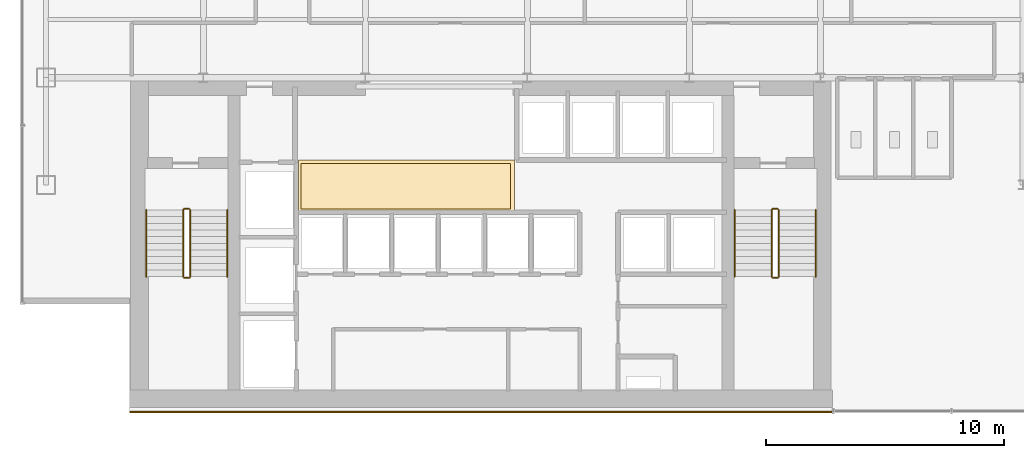
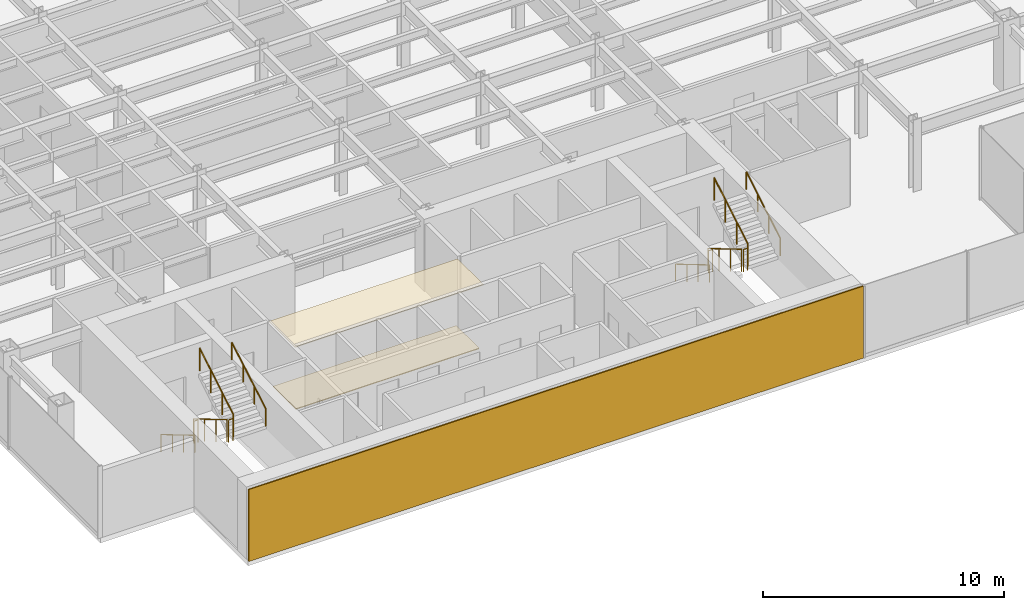
# One storey, part 24 of 26: 12 railings, 3 coverings.
"""IFC4 building model written with IfcOpenShell, lengths in metres."""

from ifc_helpers import new_model, si_unit, derived_unit, direction, frame, origin, origin_2d, place, context, subcontext, project, spatial, polyline, rectangle, circle, outline, extrude, source, transform, mapped, material, layer, layer_set, type_object, element, save


model = new_model("IFC4")

# Units and contexts
model_context = context("Model", 3, precision=1e-05, world=origin(), true_north=direction((0.0, 1.0)))
body_context = subcontext(model_context, "Body", "Model", "MODEL_VIEW")
ifc_project = project(units=[si_unit("LENGTHUNIT", "METRE"), si_unit("AREAUNIT", "SQUARE_METRE"), si_unit("VOLUMEUNIT", "CUBIC_METRE"), si_unit("PLANEANGLEUNIT", "RADIAN"), si_unit("MASSUNIT", "GRAM", prefix="KILO"), derived_unit("THERMALTRANSMITTANCEUNIT", [(si_unit("POWERUNIT", "WATT"), 1), (si_unit("LENGTHUNIT", "METRE"), -2), (si_unit("THERMODYNAMICTEMPERATUREUNIT", "KELVIN"), -1)])], contexts=[model_context])

# Site, building, storey
site_placement = place(None, origin())
site = spatial("IfcSite", under=ifc_project, at=site_placement, CompositionType="ELEMENT")
building_placement = place(site_placement, origin())
building = spatial("IfcBuilding", under=site, at=building_placement, Name="Skarnbrae Concourse Arena and Tower", CompositionType="ELEMENT")
storey_placement = place(building_placement, frame((0.0, 0.0, 106.89990234375)))
storey = spatial("IfcBuildingStorey", under=building, at=storey_placement, Name="L26", CompositionType="ELEMENT", Elevation=106.89990234375)

# Coverings
ifc_material_1 = material(Name="Mineral fibre acoustic ceiling tile", Category="other")
ifc_layer_1 = layer(ifc_material_1, 0.0400390625)
ifc_layer_set_1 = layer_set([ifc_layer_1], Name="Mineral fibre acoustic ceiling tile")
covering_type_1 = type_object("IfcCoveringType", Name="COV-CEIL-ACOUSTIC", PredefinedType="CEILING", material=ifc_layer_set_1)
covering_1_placement = place(storey_placement, frame((0.0, 0.0, 3.239990234375)))
element("IfcCovering", 1, at=covering_1_placement, inside=storey, type_object=covering_type_1, Name="L26 Lift lobby acoustic ceiling", PredefinedType="CEILING", context=body_context, shape_type="SweptSolid", body=[
    extrude(outline(polyline([(11.60009765625, 8.39990234375), (20.64990234375, 8.39990234375), (20.64990234375, 10.550048828125), (11.60009765625, 10.550048828125), (11.60009765625, 8.39990234375)])), origin(), (0.0, 0.0, 1.0), 0.0400390625),
])
ifc_material_2 = material(Name="Polished granite terrazzo flooring", Category="masonry")
ifc_layer_2 = layer(ifc_material_2, 0.0400390625)
ifc_layer_set_2 = layer_set([ifc_layer_2], Name="Polished granite terrazzo flooring")
covering_type_2 = type_object("IfcCoveringType", Name="COV-FLOOR-TERRAZZO", PredefinedType="FLOORING", material=ifc_layer_set_2)
covering_2_placement = place(storey_placement, origin())
element("IfcCovering", 2, at=covering_2_placement, inside=storey, type_object=covering_type_2, Name="L26 Lift lobby terrazzo flooring", PredefinedType="FLOORING", context=body_context, shape_type="SweptSolid", body=[
    extrude(outline(polyline([(11.699951171875, 8.5), (20.5, 8.5), (20.5, 10.39990234375), (11.699951171875, 10.39990234375), (11.699951171875, 8.5)])), origin(), (0.0, 0.0, 1.0), 0.0400390625),
])

# Railings
ifc_material_3 = material(Name="Steel CSA G40.21 350W", Category="steel")
railing_type_1 = type_object("IfcRailingType", Name="RAIL-HANDRAIL-900", PredefinedType="HANDRAIL", material=ifc_material_3)
railing_1_placement = place(storey_placement, frame((5.199951171875, 8.449951171875, 0.166015625)))
element("IfcRailing", 3, at=railing_1_placement, inside=storey, type_object=railing_type_1, Name="L26 ST-1 stair handrail 1", PredefinedType="HANDRAIL", context=body_context, shape_type="SweptSolid", body=[
    extrude(circle(Radius=0.02392578125, at=origin_2d()), frame((0.0, 0.0, 0.8759765625), z_axis=(0.0, -0.860306154799, 0.50977771628), x_axis=(1.0, 0.0, 0.0)), (0.0, 0.0, 1.0), 3.254638671875),
    extrude(circle(Radius=0.02099609375, at=origin_2d()), origin(), (0.0, 0.0, 1.0), 0.851806640625),
    extrude(circle(Radius=0.02099609375, at=origin_2d()), frame((0.0, -0.933349609375, 0.552978515625)), (0.0, 0.0, 1.0), 0.851806640625),
    extrude(circle(Radius=0.02099609375, at=origin_2d()), frame((0.0, -1.86669921875, 1.106201171875)), (0.0, 0.0, 1.0), 0.851806640625),
    extrude(circle(Radius=0.02099609375, at=origin_2d()), frame((0.0, -2.800048828125, 1.6591796875)), (0.0, 0.0, 1.0), 0.851806640625),
])
railing_2_placement = place(storey_placement, frame((8.60009765625, 5.64990234375, 1.990966796875)))
element("IfcRailing", 4, at=railing_2_placement, inside=storey, type_object=railing_type_1, Name="L26 ST-1 stair handrail 2", PredefinedType="HANDRAIL", context=body_context, shape_type="SweptSolid", body=[
    extrude(circle(Radius=0.02392578125, at=origin_2d()), frame((0.0, 0.0, 0.8759765625), z_axis=(0.0, 0.860306154799, 0.50977771628), x_axis=(-1.0, 0.0, 0.0)), (0.0, 0.0, 1.0), 3.254638671875),
    extrude(circle(Radius=0.02099609375, at=origin_2d()), origin(), (0.0, 0.0, 1.0), 0.851806640625),
    extrude(circle(Radius=0.02099609375, at=origin_2d()), frame((0.0, 0.933349609375, 0.552978515625)), (0.0, 0.0, 1.0), 0.851806640625),
    extrude(circle(Radius=0.02099609375, at=origin_2d()), frame((0.0, 1.86669921875, 1.106201171875)), (0.0, 0.0, 1.0), 0.851806640625),
    extrude(circle(Radius=0.02099609375, at=origin_2d()), frame((0.0, 2.800048828125, 1.6591796875)), (0.0, 0.0, 1.0), 0.851806640625),
])
railing_3_placement = place(storey_placement, frame((29.89990234375, 8.449951171875, 0.166015625)))
element("IfcRailing", 5, at=railing_3_placement, inside=storey, type_object=railing_type_1, Name="L26 ST-2 stair handrail 1", PredefinedType="HANDRAIL", context=body_context, shape_type="SweptSolid", body=[
    extrude(circle(Radius=0.02392578125, at=origin_2d()), frame((0.0, 0.0, 0.8759765625), z_axis=(0.0, -0.860306154799, 0.50977771628), x_axis=(1.0, 0.0, 0.0)), (0.0, 0.0, 1.0), 3.254638671875),
    extrude(circle(Radius=0.02099609375, at=origin_2d()), origin(), (0.0, 0.0, 1.0), 0.851806640625),
    extrude(circle(Radius=0.02099609375, at=origin_2d()), frame((0.0, -0.933349609375, 0.552978515625)), (0.0, 0.0, 1.0), 0.851806640625),
    extrude(circle(Radius=0.02099609375, at=origin_2d()), frame((0.0, -1.86669921875, 1.106201171875)), (0.0, 0.0, 1.0), 0.851806640625),
    extrude(circle(Radius=0.02099609375, at=origin_2d()), frame((0.0, -2.800048828125, 1.6591796875)), (0.0, 0.0, 1.0), 0.851806640625),
])
railing_4_placement = place(storey_placement, frame((33.300048828125, 5.64990234375, 1.990966796875)))
element("IfcRailing", 6, at=railing_4_placement, inside=storey, type_object=railing_type_1, Name="L26 ST-2 stair handrail 2", PredefinedType="HANDRAIL", context=body_context, shape_type="SweptSolid", body=[
    extrude(circle(Radius=0.02392578125, at=origin_2d()), frame((0.0, 0.0, 0.8759765625), z_axis=(0.0, 0.860306154799, 0.50977771628), x_axis=(-1.0, 0.0, 0.0)), (0.0, 0.0, 1.0), 3.254638671875),
    extrude(circle(Radius=0.02099609375, at=origin_2d()), origin(), (0.0, 0.0, 1.0), 0.851806640625),
    extrude(circle(Radius=0.02099609375, at=origin_2d()), frame((0.0, 0.933349609375, 0.552978515625)), (0.0, 0.0, 1.0), 0.851806640625),
    extrude(circle(Radius=0.02099609375, at=origin_2d()), frame((0.0, 1.86669921875, 1.106201171875)), (0.0, 0.0, 1.0), 0.851806640625),
    extrude(circle(Radius=0.02099609375, at=origin_2d()), frame((0.0, 2.800048828125, 1.6591796875)), (0.0, 0.0, 1.0), 0.851806640625),
])
railing_type_2 = type_object("IfcRailingType", Name="RAIL-STAIR-GUARD-1150", PredefinedType="GUARDRAIL", material=ifc_material_3)
railing_5_placement = place(storey_placement, frame((6.75, 8.449951171875, 0.166015625)))
element("IfcRailing", 7, at=railing_5_placement, inside=storey, type_object=railing_type_2, Name="L26 ST-1 stair guard 1", PredefinedType="GUARDRAIL", context=body_context, shape_type="SweptSolid", body=[
    extrude(circle(Radius=0.02392578125, at=origin_2d()), frame((0.0, 0.0, 1.1259765625), z_axis=(0.0, -0.860306154799, 0.50977771628), x_axis=(1.0, 0.0, 0.0)), (0.0, 0.0, 1.0), 3.254638671875),
    extrude(circle(Radius=0.02099609375, at=origin_2d()), origin(), (0.0, 0.0, 1.0), 1.101806640625),
    extrude(circle(Radius=0.02099609375, at=origin_2d()), frame((0.0, -0.933349609375, 0.552978515625)), (0.0, 0.0, 1.0), 1.101806640625),
    extrude(circle(Radius=0.02099609375, at=origin_2d()), frame((0.0, -1.86669921875, 1.106201171875)), (0.0, 0.0, 1.0), 1.101806640625),
    extrude(circle(Radius=0.02099609375, at=origin_2d()), frame((0.0, -2.800048828125, 1.6591796875)), (0.0, 0.0, 1.0), 1.101806640625),
])
railing_6_placement = place(storey_placement, frame((6.800048828125, 5.60009765625, 1.8251953125)))
element("IfcRailing", 8, at=railing_6_placement, inside=storey, type_object=railing_type_2, Name="L26 ST-1 stair guard 2", PredefinedType="GUARDRAIL", context=body_context, shape_type="SweptSolid", body=[
    extrude(circle(Radius=0.02392578125, at=origin_2d()), frame((0.0, 0.0, 1.1259765625), z_axis=(1.0, 0.0, 0.0), x_axis=(0.0, 1.0, 0.0)), (0.0, 0.0, 1.0), 0.199951171875),
    extrude(circle(Radius=0.02099609375, at=origin_2d()), origin(), (0.0, 0.0, 1.0), 1.101806640625),
    extrude(circle(Radius=0.02099609375, at=origin_2d()), frame((0.199951171875, 0.0, 0.0)), (0.0, 0.0, 1.0), 1.101806640625),
])
railing_7_placement = place(storey_placement, frame((7.050048828125, 5.64990234375, 1.990966796875)))
element("IfcRailing", 9, at=railing_7_placement, inside=storey, type_object=railing_type_2, Name="L26 ST-1 stair guard 3", PredefinedType="GUARDRAIL", context=body_context, shape_type="SweptSolid", body=[
    extrude(circle(Radius=0.02392578125, at=origin_2d()), frame((0.0, 0.0, 1.1259765625), z_axis=(0.0, 0.860306154799, 0.50977771628), x_axis=(-1.0, 0.0, 0.0)), (0.0, 0.0, 1.0), 3.254638671875),
    extrude(circle(Radius=0.02099609375, at=origin_2d()), origin(), (0.0, 0.0, 1.0), 1.101806640625),
    extrude(circle(Radius=0.02099609375, at=origin_2d()), frame((0.0, 0.933349609375, 0.552978515625)), (0.0, 0.0, 1.0), 1.101806640625),
    extrude(circle(Radius=0.02099609375, at=origin_2d()), frame((0.0, 1.86669921875, 1.106201171875)), (0.0, 0.0, 1.0), 1.101806640625),
    extrude(circle(Radius=0.02099609375, at=origin_2d()), frame((0.0, 2.800048828125, 1.6591796875)), (0.0, 0.0, 1.0), 1.101806640625),
])
railing_8_placement = place(storey_placement, frame((6.800048828125, 8.5, 0.0)))
element("IfcRailing", 10, at=railing_8_placement, inside=storey, type_object=railing_type_2, Name="L26 ST-1 stair guard 4", PredefinedType="GUARDRAIL", context=body_context, shape_type="SweptSolid", body=[
    extrude(circle(Radius=0.02392578125, at=origin_2d()), frame((0.0, 0.0, 1.1259765625), z_axis=(1.0, 0.0, 0.0), x_axis=(0.0, 1.0, 0.0)), (0.0, 0.0, 1.0), 0.199951171875),
    extrude(circle(Radius=0.02099609375, at=origin_2d()), origin(), (0.0, 0.0, 1.0), 1.101806640625),
    extrude(circle(Radius=0.02099609375, at=origin_2d()), frame((0.199951171875, 0.0, 0.0)), (0.0, 0.0, 1.0), 1.101806640625),
])
railing_9_placement = place(storey_placement, frame((31.449951171875, 8.449951171875, 0.166015625)))
element("IfcRailing", 11, at=railing_9_placement, inside=storey, type_object=railing_type_2, Name="L26 ST-2 stair guard 1", PredefinedType="GUARDRAIL", context=body_context, shape_type="SweptSolid", body=[
    extrude(circle(Radius=0.02392578125, at=origin_2d()), frame((0.0, 0.0, 1.1259765625), z_axis=(0.0, -0.860306154799, 0.50977771628), x_axis=(1.0, 0.0, 0.0)), (0.0, 0.0, 1.0), 3.254638671875),
    extrude(circle(Radius=0.02099609375, at=origin_2d()), origin(), (0.0, 0.0, 1.0), 1.101806640625),
    extrude(circle(Radius=0.02099609375, at=origin_2d()), frame((0.0, -0.933349609375, 0.552978515625)), (0.0, 0.0, 1.0), 1.101806640625),
    extrude(circle(Radius=0.02099609375, at=origin_2d()), frame((0.0, -1.86669921875, 1.106201171875)), (0.0, 0.0, 1.0), 1.101806640625),
    extrude(circle(Radius=0.02099609375, at=origin_2d()), frame((0.0, -2.800048828125, 1.6591796875)), (0.0, 0.0, 1.0), 1.101806640625),
])
railing_10_placement = place(storey_placement, frame((31.5, 5.60009765625, 1.8251953125)))
element("IfcRailing", 12, at=railing_10_placement, inside=storey, type_object=railing_type_2, Name="L26 ST-2 stair guard 2", PredefinedType="GUARDRAIL", context=body_context, shape_type="SweptSolid", body=[
    extrude(circle(Radius=0.02392578125, at=origin_2d()), frame((0.0, 0.0, 1.1259765625), z_axis=(1.0, 0.0, 0.0), x_axis=(0.0, 1.0, 0.0)), (0.0, 0.0, 1.0), 0.199951171875),
    extrude(circle(Radius=0.02099609375, at=origin_2d()), origin(), (0.0, 0.0, 1.0), 1.101806640625),
    extrude(circle(Radius=0.02099609375, at=origin_2d()), frame((0.199951171875, 0.0, 0.0)), (0.0, 0.0, 1.0), 1.101806640625),
])
railing_11_placement = place(storey_placement, frame((31.75, 5.64990234375, 1.990966796875)))
element("IfcRailing", 13, at=railing_11_placement, inside=storey, type_object=railing_type_2, Name="L26 ST-2 stair guard 3", PredefinedType="GUARDRAIL", context=body_context, shape_type="SweptSolid", body=[
    extrude(circle(Radius=0.02392578125, at=origin_2d()), frame((0.0, 0.0, 1.1259765625), z_axis=(0.0, 0.860306154799, 0.50977771628), x_axis=(-1.0, 0.0, 0.0)), (0.0, 0.0, 1.0), 3.254638671875),
    extrude(circle(Radius=0.02099609375, at=origin_2d()), origin(), (0.0, 0.0, 1.0), 1.101806640625),
    extrude(circle(Radius=0.02099609375, at=origin_2d()), frame((0.0, 0.933349609375, 0.552978515625)), (0.0, 0.0, 1.0), 1.101806640625),
    extrude(circle(Radius=0.02099609375, at=origin_2d()), frame((0.0, 1.86669921875, 1.106201171875)), (0.0, 0.0, 1.0), 1.101806640625),
    extrude(circle(Radius=0.02099609375, at=origin_2d()), frame((0.0, 2.800048828125, 1.6591796875)), (0.0, 0.0, 1.0), 1.101806640625),
])
railing_12_placement = place(storey_placement, frame((31.5, 8.5, 0.0)))
element("IfcRailing", 14, at=railing_12_placement, inside=storey, type_object=railing_type_2, Name="L26 ST-2 stair guard 4", PredefinedType="GUARDRAIL", context=body_context, shape_type="SweptSolid", body=[
    extrude(circle(Radius=0.02392578125, at=origin_2d()), frame((0.0, 0.0, 1.1259765625), z_axis=(1.0, 0.0, 0.0), x_axis=(0.0, 1.0, 0.0)), (0.0, 0.0, 1.0), 0.199951171875),
    extrude(circle(Radius=0.02099609375, at=origin_2d()), origin(), (0.0, 0.0, 1.0), 1.101806640625),
    extrude(circle(Radius=0.02099609375, at=origin_2d()), frame((0.199951171875, 0.0, 0.0)), (0.0, 0.0, 1.0), 1.101806640625),
])

# Covering
ifc_material_4 = material(Name="Bronze anodised aluminium 6063-T6", Category="aluminium")
ifc_layer_3 = layer(ifc_material_4, 0.06005859375)
ifc_layer_set_3 = layer_set([ifc_layer_3], Name="Bronze anodised aluminium 6063-T6")
covering_type_3 = type_object("IfcCoveringType", Name="COV-CLAD-BRONZE-60", PredefinedType="CLADDING", material=ifc_layer_set_3)
shared_shape = source(origin(), body_context, "Body", "SweptSolid", [
    extrude(rectangle(XDim=29.5, YDim=0.06005859375, at=origin_2d()), origin(), (0.0, 0.0, 1.0), 3.64990234375),
])
covering_3_placement = place(storey_placement, frame((19.25, -0.030029296875, 0.000244140625), z_axis=(0.0, 0.0, 1.0), x_axis=(1.0, 0.0, 0.0)))
element("IfcCovering", 15, at=covering_3_placement, inside=storey, type_object=covering_type_3, Name="L26 Rear-core plumb spine bronze rainscreen panel", PredefinedType="CLADDING", context=body_context, shape_type="MappedRepresentation", body=[
    mapped(shared_shape, transform((0.0, 0.0, 0.0))),
])

save(model, "model.ifc")
